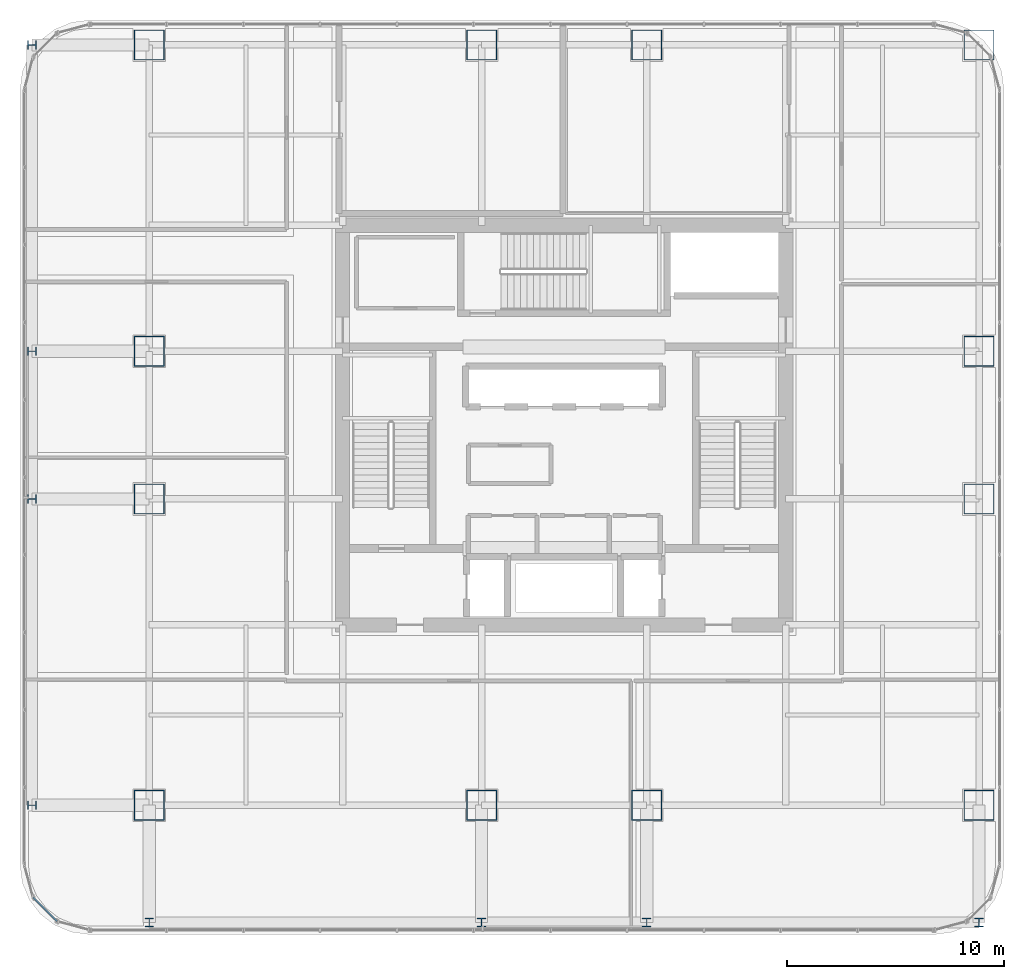
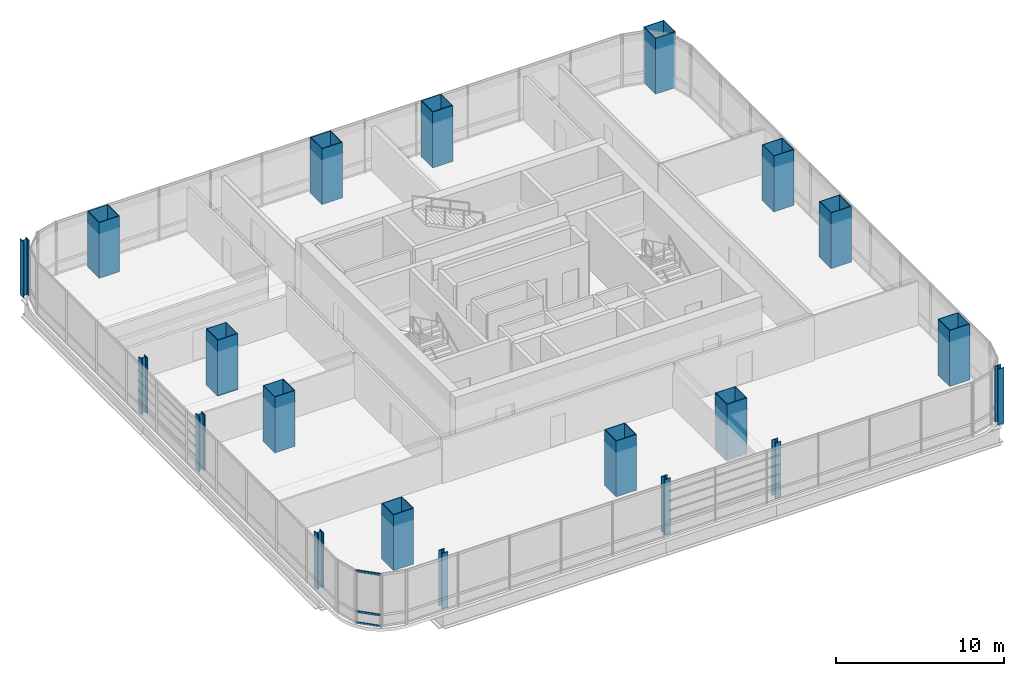
# One storey, part 1 of 36: 20 columns, 3 members, 1 element without a shape of its own.
"""IFC4 building model written with IfcOpenShell, lengths in metres."""

from ifc_helpers import new_model, si_unit, direction, frame, origin, origin_2d, place, context, subcontext, project, spatial, hollow_rectangle, i_section, extrude, material, material_profile, profile_set, type_object, element, aggregate, save


model = new_model("IFC4")

# Units and contexts
model_context = context("Model", 3, precision=1e-05, world=origin(), true_north=direction((0.0, 1.0)))
body_context = subcontext(model_context, "Body", "Model", "MODEL_VIEW")
ifc_project = project(units=[si_unit("LENGTHUNIT", "METRE"), si_unit("AREAUNIT", "SQUARE_METRE"), si_unit("VOLUMEUNIT", "CUBIC_METRE"), si_unit("PLANEANGLEUNIT", "RADIAN"), si_unit("MASSUNIT", "GRAM", prefix="KILO")], contexts=[model_context])

# Site, building, storey
site_placement = place(None, origin())
site = spatial("IfcSite", under=ifc_project, at=site_placement, CompositionType="ELEMENT")
building_placement = place(site_placement, origin())
building = spatial("IfcBuilding", under=site, at=building_placement, Name="Punatoya Terracotta Tower", CompositionType="ELEMENT")
storey_placement = place(building_placement, frame((0.0, 0.0, 184.35009765625)))
storey = spatial("IfcBuildingStorey", under=building, at=storey_placement, Name="L43", CompositionType="ELEMENT", Elevation=184.35009765625)

# Columns
ifc_material_1 = material(Name="Steel S460", Category="steel")
ifc_material_profile_1 = material_profile(ifc_material_1, i_section(OverallWidth=0.408935546875, OverallDepth=0.425048828125, WebThickness=0.031982421875, FlangeThickness=0.052001953125, FilletRadius=0.01806640625, at=origin_2d()))
ifc_profile_set_1 = profile_set([ifc_material_profile_1], Name="Steel S460")
column_type_1 = type_object("IfcColumnType", Name="COL-EX-M2", PredefinedType="COLUMN", material=ifc_profile_set_1)
for number, where, z_axis, x_axis, name in (
    (1, (-19.10009765625, -22.89990234375, 0.0), (0.0, 0.0, 1.0), (1.0, 0.0, 0.0), "L43 Exoskeleton Perimeter Column S1"),
    (2, (-3.800048828125, -22.89990234375, 0.0), (0.0, 0.0, 1.0), (1.0, 0.0, 0.0), "L43 Exoskeleton Perimeter Column S2"),
    (3, (3.800048828125, -22.89990234375, 0.0), (0.0, 0.0, 1.0), (1.0, 0.0, 0.0), "L43 Exoskeleton Perimeter Column S3"),
    (4, (19.10009765625, -22.89990234375, 0.0), (0.0, 0.0, 1.0), (1.0, 0.0, 0.0), "L43 Exoskeleton Perimeter Column S4"),
    (5, (-24.5, -17.5, 0.0), (0.0, 0.0, 1.0), (0.0, 1.0, 0.0), "L43 Exoskeleton Perimeter Column W1"),
    (6, (-24.5, -3.39990234375, 0.0), (0.0, 0.0, 1.0), (0.0, 1.0, 0.0), "L43 Exoskeleton Perimeter Column W2"),
    (7, (-24.5, 3.39990234375, 0.0), (0.0, 0.0, 1.0), (0.0, 1.0, 0.0), "L43 Exoskeleton Perimeter Column W3"),
    (8, (-24.5, 17.5, 0.0), (0.0, 0.0, 1.0), (0.0, 1.0, 0.0), "L43 Exoskeleton Perimeter Column W4"),
):
    element("IfcColumn", number, at=place(storey_placement, frame(where, z_axis=z_axis, x_axis=x_axis)), inside=storey, type_object=column_type_1, Name=name, PredefinedType="COLUMN", context=body_context, shape_type="SweptSolid", body=[
        extrude(i_section(OverallWidth=0.408935546875, OverallDepth=0.425048828125, WebThickness=0.031982421875, FlangeThickness=0.052001953125, FilletRadius=0.01806640625, at=origin_2d()), origin(), (0.0, 0.0, 1.0), 4.0478515625),
    ])
ifc_material_profile_2 = material_profile(ifc_material_1, hollow_rectangle(XDim=1.39990234375, YDim=1.39990234375, WallThickness=0.0419921875, at=origin_2d()))
ifc_profile_set_2 = profile_set([ifc_material_profile_2], Name="Steel S460")
column_type_2 = type_object("IfcColumnType", Name="COL-MC-Z2", PredefinedType="COLUMN", material=ifc_profile_set_2)
for number, where, z_axis, x_axis, name in (
    (9, (-19.10009765625, -17.5, 0.0), (0.0, 0.0, 1.0), (1.0, 0.0, 0.0), "L43 Composite Mega-Column MC-01 (3-B)"),
    (10, (-3.800048828125, -17.5, 0.0), (0.0, 0.0, 1.0), (1.0, 0.0, 0.0), "L43 Composite Mega-Column MC-02 (5-B)"),
    (11, (3.800048828125, -17.5, 0.0), (0.0, 0.0, 1.0), (1.0, 0.0, 0.0), "L43 Composite Mega-Column MC-03 (7-B)"),
    (12, (19.10009765625, -17.5, 0.0), (0.0, 0.0, 1.0), (1.0, 0.0, 0.0), "L43 Composite Mega-Column MC-04 (9-B)"),
    (13, (19.10009765625, -3.39990234375, 0.0), (0.0, 0.0, 1.0), (1.0, 0.0, 0.0), "L43 Composite Mega-Column MC-05 (9-D)"),
    (14, (19.10009765625, 3.39990234375, 0.0), (0.0, 0.0, 1.0), (1.0, 0.0, 0.0), "L43 Composite Mega-Column MC-06 (9-E)"),
    (15, (19.10009765625, 17.5, 0.0), (0.0, 0.0, 1.0), (1.0, 0.0, 0.0), "L43 Composite Mega-Column MC-07 (9-G)"),
    (16, (3.800048828125, 17.5, 0.0), (0.0, 0.0, 1.0), (1.0, 0.0, 0.0), "L43 Composite Mega-Column MC-08 (7-G)"),
    (17, (-3.800048828125, 17.5, 0.0), (0.0, 0.0, 1.0), (1.0, 0.0, 0.0), "L43 Composite Mega-Column MC-09 (5-G)"),
    (18, (-19.10009765625, 17.5, 0.0), (0.0, 0.0, 1.0), (1.0, 0.0, 0.0), "L43 Composite Mega-Column MC-10 (3-G)"),
    (19, (-19.10009765625, 3.39990234375, 0.0), (0.0, 0.0, 1.0), (1.0, 0.0, 0.0), "L43 Composite Mega-Column MC-11 (3-E)"),
    (20, (-19.10009765625, -3.39990234375, 0.0), (0.0, 0.0, 1.0), (1.0, 0.0, 0.0), "L43 Composite Mega-Column MC-12 (3-D)"),
):
    element("IfcColumn", number, at=place(storey_placement, frame(where, z_axis=z_axis, x_axis=x_axis)), inside=storey, type_object=column_type_2, Name=name, PredefinedType="COLUMN", context=body_context, shape_type="SweptSolid", body=[
        extrude(hollow_rectangle(XDim=1.39990234375, YDim=1.39990234375, WallThickness=0.0419921875, at=origin_2d()), origin(), (0.0, 0.0, 1.0), 4.0498046875),
    ])

# Curtain wall, members
ifc_material_2 = material(Name="Aluminium 6063-T6 + Double Low-E Glass", Category="aluminium")
curtain_wall_type = type_object("IfcCurtainWallType", Name="CW-M2", PredefinedType="NOTDEFINED", material=ifc_material_2)
curtain_wall_placement = place(storey_placement, origin())
curtain_wall = element("IfcCurtainWall", 21, at=curtain_wall_placement, inside=storey, type_object=curtain_wall_type, Name="L43 Curtain Wall CW-L43-CRN15", PredefinedType="NOTDEFINED")
ifc_material_3 = material(Name="Aluminium 6063-T6", Category="aluminium")
ifc_material_profile_3 = material_profile(ifc_material_3, hollow_rectangle(XDim=0.068115234375, YDim=0.14990234375, WallThickness=0.00390625, at=origin_2d()))
ifc_profile_set_3 = profile_set([ifc_material_profile_3], Name="Aluminium 6063-T6")
member_type = type_object("IfcMemberType", Name="CW-TRN-TYP", PredefinedType="USERDEFINED", material=ifc_profile_set_3)
member_1_placement = place(storey_placement, frame((-24.446533203125, -21.7490234375, 0.039794921875), z_axis=(0.707028130747, -0.707185422879, 0.0), x_axis=(0.707185422879, 0.707028130747, 0.0)))
member_1 = element("IfcMember", 22, at=member_1_placement, type_object=member_type, Name="CW-L43-CRN15 Transom 1", ObjectType="TRANSOM", PredefinedType="USERDEFINED", context=body_context, shape_type="SweptSolid", body=[
    extrude(hollow_rectangle(XDim=0.068115234375, YDim=0.14990234375, WallThickness=0.00390625, at=origin_2d()), origin(), (0.0, 0.0, 1.0), 1.55224609375),
])
member_2_placement = place(storey_placement, frame((-24.446533203125, -21.7490234375, 0.849853515625), z_axis=(0.707028130747, -0.707185422879, 0.0), x_axis=(0.707185422879, 0.707028130747, 0.0)))
member_2 = element("IfcMember", 23, at=member_2_placement, type_object=member_type, Name="CW-L43-CRN15 Transom 2", ObjectType="TRANSOM", PredefinedType="USERDEFINED", context=body_context, shape_type="SweptSolid", body=[
    extrude(hollow_rectangle(XDim=0.068115234375, YDim=0.14990234375, WallThickness=0.00390625, at=origin_2d()), origin(), (0.0, 0.0, 1.0), 1.55224609375),
])
member_3_placement = place(storey_placement, frame((-24.446533203125, -21.7490234375, 3.789794921875), z_axis=(0.707028130747, -0.707185422879, 0.0), x_axis=(0.707185422879, 0.707028130747, 0.0)))
member_3 = element("IfcMember", 24, at=member_3_placement, type_object=member_type, Name="CW-L43-CRN15 Transom 3", ObjectType="TRANSOM", PredefinedType="USERDEFINED", context=body_context, shape_type="SweptSolid", body=[
    extrude(hollow_rectangle(XDim=0.068115234375, YDim=0.14990234375, WallThickness=0.00390625, at=origin_2d()), origin(), (0.0, 0.0, 1.0), 1.55224609375),
])
aggregate(curtain_wall, [member_1, member_2, member_3])

save(model, "model.ifc")
